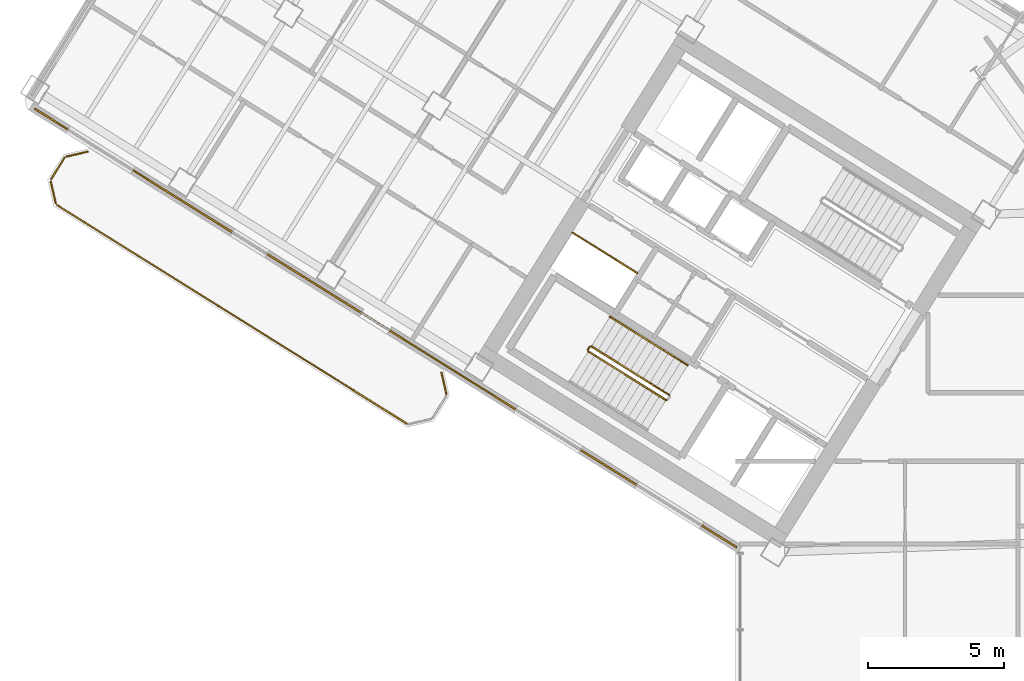
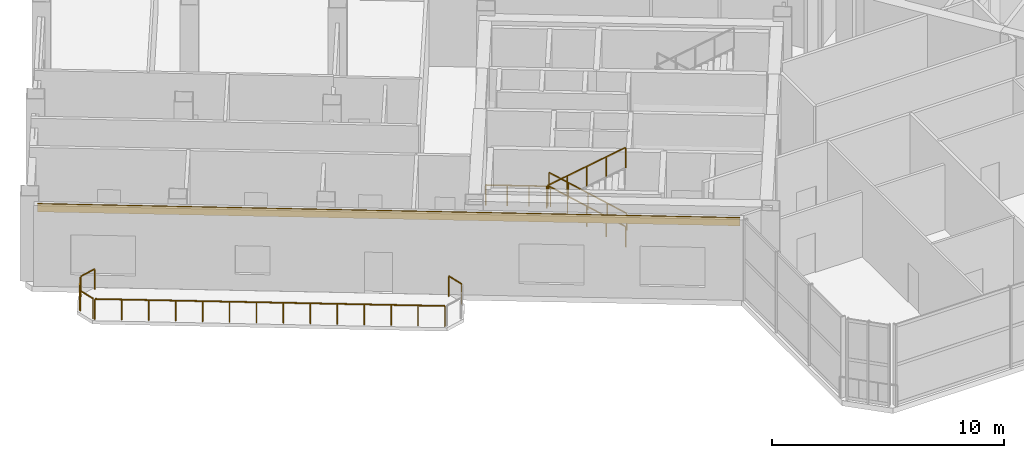
# One storey, part 18 of 21: 11 railings, 1 covering.
"""IFC4 building model written with IfcOpenShell, lengths in metres."""

from ifc_helpers import new_model, si_unit, direction, frame, origin, origin_2d, place, context, subcontext, project, spatial, rectangle, extrude, source, transform, mapped, material, layer, layer_set, type_object, element, save


model = new_model("IFC4")

# Units and contexts
model_context = context("Model", 3, precision=1e-05, world=origin(), true_north=direction((0.0, 1.0)))
body_context = subcontext(model_context, "Body", "Model", "MODEL_VIEW")
ifc_project = project(units=[si_unit("LENGTHUNIT", "METRE"), si_unit("AREAUNIT", "SQUARE_METRE"), si_unit("VOLUMEUNIT", "CUBIC_METRE"), si_unit("PLANEANGLEUNIT", "RADIAN"), si_unit("MASSUNIT", "GRAM", prefix="KILO")], contexts=[model_context])

# Site, building, storey
site_placement = place(None, origin())
site = spatial("IfcSite", under=ifc_project, at=site_placement, CompositionType="ELEMENT")
building_placement = place(site_placement, origin())
building = spatial("IfcBuilding", under=site, at=building_placement, Name="Tlacorven Tower", CompositionType="ELEMENT")
storey_placement = place(building_placement, frame((0.0, 0.0, 199.5)))
storey = spatial("IfcBuildingStorey", under=building, at=storey_placement, Name="L50", CompositionType="ELEMENT", Elevation=199.5)

# Railings
ifc_material_1 = material(Name="Aluminium and painted steel balustrade", Category="steel")
railing_type_1 = type_object("IfcRailingType", Name="RL-GRD-1100", PredefinedType="GUARDRAIL", material=ifc_material_1)
shared_shape_1 = source(origin(), body_context, "Body", "SweptSolid", [
    extrude(rectangle(XDim=0.048095703125, YDim=0.048095703125, at=origin_2d()), frame((0.0, 0.0, 1.076171875), z_axis=(-0.848091358275, 0.529850024081, 0.0), x_axis=(-0.529850024081, -0.848091358275, 0.0)), (0.0, 0.0, 1.0), 2.800048828125),
    extrude(rectangle(XDim=0.0419921875, YDim=0.0419921875, at=origin_2d()), origin(), (0.0, 0.0, 1.0), 1.052001953125),
    extrude(rectangle(XDim=0.0419921875, YDim=0.0419921875, at=origin_2d()), frame((-0.79150390625, 0.49462890625, 0.0)), (0.0, 0.0, 1.0), 1.052001953125),
    extrude(rectangle(XDim=0.0419921875, YDim=0.0419921875, at=origin_2d()), frame((-1.583251953125, 0.989013671875, 0.0)), (0.0, 0.0, 1.0), 1.052001953125),
    extrude(rectangle(XDim=0.0419921875, YDim=0.0419921875, at=origin_2d()), frame((-2.374755859375, 1.483642578125, 0.0)), (0.0, 0.0, 1.0), 1.052001953125),
])
railing_1_placement = place(storey_placement, frame((27.9912109375, 22.32080078125, 0.0)))
element("IfcRailing", 1, at=railing_1_placement, inside=storey, type_object=railing_type_1, Name="L50 Electrical Riser W Shaft Guard 1", PredefinedType="GUARDRAIL", context=body_context, shape_type="MappedRepresentation", body=[
    mapped(shared_shape_1, transform((0.0, 0.0, 0.0), scale=1.0)),
])
railing_type_2 = type_object("IfcRailingType", Name="RL-BAL-1100", PredefinedType="BALUSTRADE", material=ifc_material_1)
shared_shape_2 = source(origin(), body_context, "Body", "SweptSolid", [
    extrude(rectangle(XDim=0.048095703125, YDim=0.048095703125, at=origin_2d()), frame((0.0, 0.0, 1.076171875), z_axis=(0.225058334816, -0.974345290916, 0.0), x_axis=(0.974345290916, 0.225058334816, 0.0)), (0.0, 0.0, 1.0), 0.80712890625),
    extrude(rectangle(XDim=0.0419921875, YDim=0.0419921875, at=origin_2d()), origin(), (0.0, 0.0, 1.0), 1.052001953125),
    extrude(rectangle(XDim=0.0419921875, YDim=0.0419921875, at=origin_2d()), frame((0.181640625, -0.786376953125, 0.0)), (0.0, 0.0, 1.0), 1.052001953125),
])
railing_2_placement = place(storey_placement, frame((20.809814453125, 18.671142578125, 0.0)))
element("IfcRailing", 2, at=railing_2_placement, inside=storey, type_object=railing_type_2, Name="BAL-L50-W-OUT Guard Railing 1", PredefinedType="BALUSTRADE", context=body_context, shape_type="MappedRepresentation", body=[
    mapped(shared_shape_2, transform((0.0, 0.0, 0.0), scale=1.0)),
])
shared_shape_3 = source(origin(), body_context, "Body", "SweptSolid", [
    extrude(rectangle(XDim=0.048095703125, YDim=0.048095703125, at=origin_2d()), frame((0.0, 0.0, 1.076171875), z_axis=(-0.225058334816, 0.974345290916, 0.0), x_axis=(-0.974345290916, -0.225058334816, 0.0)), (0.0, 0.0, 1.0), 0.80712890625),
    extrude(rectangle(XDim=0.0419921875, YDim=0.0419921875, at=origin_2d()), origin(), (0.0, 0.0, 1.0), 1.052001953125),
    extrude(rectangle(XDim=0.0419921875, YDim=0.0419921875, at=origin_2d()), frame((-0.181640625, 0.786376953125, 0.0)), (0.0, 0.0, 1.0), 1.052001953125),
])
railing_3_placement = place(storey_placement, frame((6.66650390625, 24.88623046875, 0.0)))
element("IfcRailing", 3, at=railing_3_placement, inside=storey, type_object=railing_type_2, Name="BAL-L50-W-OUT Guard Railing 5", PredefinedType="BALUSTRADE", context=body_context, shape_type="MappedRepresentation", body=[
    mapped(shared_shape_3, transform((0.0, 0.0, 0.0), scale=1.0)),
])
shared_shape_4 = source(origin(), body_context, "Body", "SweptSolid", [
    extrude(rectangle(XDim=0.048095703125, YDim=0.048095703125, at=origin_2d()), frame((0.0, 0.0, 1.076171875), z_axis=(0.974411586182, 0.224771129628, 0.0), x_axis=(-0.224771129628, 0.974411586182, 0.0)), (0.0, 0.0, 1.0), 0.80712890625),
    extrude(rectangle(XDim=0.0419921875, YDim=0.0419921875, at=origin_2d()), origin(), (0.0, 0.0, 1.0), 1.052001953125),
    extrude(rectangle(XDim=0.0419921875, YDim=0.0419921875, at=origin_2d()), frame((0.786376953125, 0.181396484375, 0.0)), (0.0, 0.0, 1.0), 1.052001953125),
])
railing_4_placement = place(storey_placement, frame((7.05859375, 26.591064453125, 0.0)))
element("IfcRailing", 4, at=railing_4_placement, inside=storey, type_object=railing_type_2, Name="BAL-L50-W-OUT Guard Railing 7", PredefinedType="BALUSTRADE", context=body_context, shape_type="MappedRepresentation", body=[
    mapped(shared_shape_4, transform((0.0, 0.0, 0.0), scale=1.0)),
])
shared_shape_5 = source(origin(), body_context, "Body", "SweptSolid", [
    extrude(rectangle(XDim=0.048095703125, YDim=0.048095703125, at=origin_2d()), frame((0.0, 0.0, 1.076171875), z_axis=(0.529998940003, 0.847998304005, 0.0), x_axis=(-0.847998304005, 0.529998940003, 0.0)), (0.0, 0.0, 1.0), 0.912109375),
    extrude(rectangle(XDim=0.0419921875, YDim=0.0419921875, at=origin_2d()), origin(), (0.0, 0.0, 1.0), 1.052001953125),
    extrude(rectangle(XDim=0.0419921875, YDim=0.0419921875, at=origin_2d()), frame((0.4833984375, 0.7734375, 0.0)), (0.0, 0.0, 1.0), 1.052001953125),
])
railing_5_placement = place(storey_placement, frame((6.5, 25.763916015625, 0.0)))
element("IfcRailing", 5, at=railing_5_placement, inside=storey, type_object=railing_type_2, Name="BAL-L50-W-OUT Guard Railing 6", PredefinedType="BALUSTRADE", context=body_context, shape_type="MappedRepresentation", body=[
    mapped(shared_shape_5, transform((0.0, 0.0, 0.0), scale=1.0)),
])

# Covering
ifc_material_2 = material(Name="Precast concrete C45/55", Category="concrete")
ifc_layer = layer(ifc_material_2, 0.06005859375)
ifc_layer_set = layer_set([ifc_layer], Name="Precast concrete C45/55")
covering_type = type_object("IfcCoveringType", Name="CV-CLD-TERC", PredefinedType="CLADDING", material=ifc_layer_set)
shared_shape_6 = source(origin(), body_context, "Body", "SweptSolid", [
    extrude(rectangle(XDim=30.35205078125, YDim=0.06005859375, at=origin_2d()), origin(), (0.0, 0.0, 1.0), 0.419921875),
])
covering_placement = place(storey_placement, frame((18.7626953125, 20.3046875, 3.830078125), z_axis=(0.0, 0.0, 1.0), x_axis=(-0.848048152806, 0.529919173576, 0.0)))
element("IfcCovering", 6, at=covering_placement, inside=storey, type_object=covering_type, Name="L50 Masonry-Frame Spandrel Cladding 1", PredefinedType="CLADDING", context=body_context, shape_type="MappedRepresentation", body=[
    mapped(shared_shape_6, transform((0.0, 0.0, 0.0), scale=1.0)),
])

# Railings
shared_shape_7 = source(origin(), body_context, "Body", "SweptSolid", [
    extrude(rectangle(XDim=0.048095703125, YDim=0.048095703125, at=origin_2d()), frame((0.0, 0.0, 1.076171875), z_axis=(-0.848051830527, 0.529913287944, 0.0), x_axis=(-0.529913287944, -0.848051830527, 0.0)), (0.0, 0.0, 1.0), 15.1171875),
    extrude(rectangle(XDim=0.0419921875, YDim=0.0419921875, at=origin_2d()), origin(), (0.0, 0.0, 1.0), 1.052001953125),
    extrude(rectangle(XDim=0.0419921875, YDim=0.0419921875, at=origin_2d()), frame((-0.986083984375, 0.6162109375, 0.0)), (0.0, 0.0, 1.0), 1.052001953125),
    extrude(rectangle(XDim=0.0419921875, YDim=0.0419921875, at=origin_2d()), frame((-1.972412109375, 1.232421875, 0.0)), (0.0, 0.0, 1.0), 1.052001953125),
    extrude(rectangle(XDim=0.0419921875, YDim=0.0419921875, at=origin_2d()), frame((-2.95849609375, 1.8486328125, 0.0)), (0.0, 0.0, 1.0), 1.052001953125),
    extrude(rectangle(XDim=0.0419921875, YDim=0.0419921875, at=origin_2d()), frame((-3.944580078125, 2.46484375, 0.0)), (0.0, 0.0, 1.0), 1.052001953125),
    extrude(rectangle(XDim=0.0419921875, YDim=0.0419921875, at=origin_2d()), frame((-4.930908203125, 3.0810546875, 0.0)), (0.0, 0.0, 1.0), 1.052001953125),
    extrude(rectangle(XDim=0.0419921875, YDim=0.0419921875, at=origin_2d()), frame((-5.9169921875, 3.697265625, 0.0)), (0.0, 0.0, 1.0), 1.052001953125),
    extrude(rectangle(XDim=0.0419921875, YDim=0.0419921875, at=origin_2d()), frame((-6.903076171875, 4.3134765625, 0.0)), (0.0, 0.0, 1.0), 1.052001953125),
    extrude(rectangle(XDim=0.0419921875, YDim=0.0419921875, at=origin_2d()), frame((-7.88916015625, 4.9296875, 0.0)), (0.0, 0.0, 1.0), 1.052001953125),
    extrude(rectangle(XDim=0.0419921875, YDim=0.0419921875, at=origin_2d()), frame((-8.87548828125, 5.5458984375, 0.0)), (0.0, 0.0, 1.0), 1.052001953125),
    extrude(rectangle(XDim=0.0419921875, YDim=0.0419921875, at=origin_2d()), frame((-9.861572265625, 6.162109375, 0.0)), (0.0, 0.0, 1.0), 1.052001953125),
    extrude(rectangle(XDim=0.0419921875, YDim=0.0419921875, at=origin_2d()), frame((-10.84765625, 6.7783203125, 0.0)), (0.0, 0.0, 1.0), 1.052001953125),
    extrude(rectangle(XDim=0.0419921875, YDim=0.0419921875, at=origin_2d()), frame((-11.833984375, 7.39453125, 0.0)), (0.0, 0.0, 1.0), 1.052001953125),
    extrude(rectangle(XDim=0.0419921875, YDim=0.0419921875, at=origin_2d()), frame((-12.820068359375, 8.0107421875, 0.0)), (0.0, 0.0, 1.0), 1.052001953125),
])
railing_6_placement = place(storey_placement, frame((19.5400390625, 16.80029296875, 0.0)))
element("IfcRailing", 7, at=railing_6_placement, inside=storey, type_object=railing_type_2, Name="BAL-L50-W-OUT Guard Railing 4", PredefinedType="BALUSTRADE", context=body_context, shape_type="MappedRepresentation", body=[
    mapped(shared_shape_7, transform((0.0, 0.0, 0.0), scale=1.0)),
])
shared_shape_8 = source(origin(), body_context, "Body", "SweptSolid", [
    extrude(rectangle(XDim=0.048095703125, YDim=0.048095703125, at=origin_2d()), frame((0.0, 0.0, 1.076171875), z_axis=(-0.530546985787, -0.847655529016, 0.0), x_axis=(0.847655529016, -0.530546985787, 0.0)), (0.0, 0.0, 1.0), 0.1201171875),
    extrude(rectangle(XDim=0.0419921875, YDim=0.0419921875, at=origin_2d()), origin(), (0.0, 0.0, 1.0), 1.052001953125),
    extrude(rectangle(XDim=0.0419921875, YDim=0.0419921875, at=origin_2d()), frame((-0.063720703125, -0.101806640625, 0.0)), (0.0, 0.0, 1.0), 1.052001953125),
])
railing_7_placement = place(storey_placement, frame((26.242431640625, 19.616455078125, 2.25)))
element("IfcRailing", 8, at=railing_7_placement, inside=storey, type_object=railing_type_1, Name="L50 ST-W1 stair guard 2", PredefinedType="GUARDRAIL", context=body_context, shape_type="MappedRepresentation", body=[
    mapped(shared_shape_8, transform((0.0, 0.0, 0.0), scale=1.0)),
])
shared_shape_9 = source(origin(), body_context, "Body", "SweptSolid", [
    extrude(rectangle(XDim=0.048095703125, YDim=0.048095703125, at=origin_2d()), frame((0.0, 0.0, 1.076171875), z_axis=(-0.721354668439, 0.45076168254, 0.525795918465), x_axis=(-0.529927092104, -0.84804320471, 0.0)), (0.0, 0.0, 1.0), 3.949951171875),
    extrude(rectangle(XDim=0.0419921875, YDim=0.0419921875, at=origin_2d()), origin(), (0.0, 0.0, 1.0), 1.052001953125),
    extrude(rectangle(XDim=0.0419921875, YDim=0.0419921875, at=origin_2d()), frame((-0.71240234375, 0.445068359375, 0.519287109375)), (0.0, 0.0, 1.0), 1.052001953125),
    extrude(rectangle(XDim=0.0419921875, YDim=0.0419921875, at=origin_2d()), frame((-1.4248046875, 0.89013671875, 1.03857421875)), (0.0, 0.0, 1.0), 1.052001953125),
    extrude(rectangle(XDim=0.0419921875, YDim=0.0419921875, at=origin_2d()), frame((-2.136962890625, 1.33544921875, 1.5576171875)), (0.0, 0.0, 1.0), 1.052001953125),
    extrude(rectangle(XDim=0.0419921875, YDim=0.0419921875, at=origin_2d()), frame((-2.849365234375, 1.780517578125, 2.076904296875)), (0.0, 0.0, 1.0), 1.052001953125),
])
railing_8_placement = place(storey_placement, frame((29.16064453125, 17.851806640625, 0.173095703125)))
element("IfcRailing", 9, at=railing_8_placement, inside=storey, type_object=railing_type_1, Name="L50 ST-W1 stair guard 1", PredefinedType="GUARDRAIL", context=body_context, shape_type="MappedRepresentation", body=[
    mapped(shared_shape_9, transform((0.0, 0.0, 0.0), scale=1.0)),
])
shared_shape_10 = source(origin(), body_context, "Body", "SweptSolid", [
    extrude(rectangle(XDim=0.048095703125, YDim=0.048095703125, at=origin_2d()), frame((0.0, 0.0, 1.076171875), z_axis=(0.721384312238, -0.450741585774, 0.525772476372), x_axis=(0.52989443915, 0.848063608085, 0.0)), (0.0, 0.0, 1.0), 3.9501953125),
    extrude(rectangle(XDim=0.0419921875, YDim=0.0419921875, at=origin_2d()), origin(), (0.0, 0.0, 1.0), 1.052001953125),
    extrude(rectangle(XDim=0.0419921875, YDim=0.0419921875, at=origin_2d()), frame((0.71240234375, -0.445068359375, 0.519287109375)), (0.0, 0.0, 1.0), 1.052001953125),
    extrude(rectangle(XDim=0.0419921875, YDim=0.0419921875, at=origin_2d()), frame((1.4248046875, -0.89013671875, 1.03857421875)), (0.0, 0.0, 1.0), 1.052001953125),
    extrude(rectangle(XDim=0.0419921875, YDim=0.0419921875, at=origin_2d()), frame((2.13720703125, -1.33544921875, 1.5576171875)), (0.0, 0.0, 1.0), 1.052001953125),
    extrude(rectangle(XDim=0.0419921875, YDim=0.0419921875, at=origin_2d()), frame((2.849609375, -1.780517578125, 2.076904296875)), (0.0, 0.0, 1.0), 1.052001953125),
])
railing_9_placement = place(storey_placement, frame((26.194580078125, 19.44580078125, 2.423095703125)))
element("IfcRailing", 10, at=railing_9_placement, inside=storey, type_object=railing_type_1, Name="L50 ST-W1 stair guard 3", PredefinedType="GUARDRAIL", context=body_context, shape_type="MappedRepresentation", body=[
    mapped(shared_shape_10, transform((0.0, 0.0, 0.0), scale=1.0)),
])
railing_type_3 = type_object("IfcRailingType", Name="RL-HND-0900", PredefinedType="HANDRAIL", material=ifc_material_1)
shared_shape_11 = source(origin(), body_context, "Body", "SweptSolid", [
    extrude(rectangle(XDim=0.048095703125, YDim=0.048095703125, at=origin_2d()), frame((0.0, 0.0, 0.8759765625), z_axis=(-0.721387654753, 0.450805479247, 0.525713107551), x_axis=(-0.529946692594, -0.848030956397, 0.0)), (0.0, 0.0, 1.0), 1.97509765625),
    extrude(rectangle(XDim=0.0419921875, YDim=0.0419921875, at=origin_2d()), origin(), (0.0, 0.0, 1.0), 0.851806640625),
    extrude(rectangle(XDim=0.0419921875, YDim=0.0419921875, at=origin_2d()), frame((-0.71240234375, 0.4453125, 0.51904296875)), (0.0, 0.0, 1.0), 0.851806640625),
    extrude(rectangle(XDim=0.0419921875, YDim=0.0419921875, at=origin_2d()), frame((-1.4248046875, 0.890380859375, 1.038330078125)), (0.0, 0.0, 1.0), 0.851806640625),
])
railing_10_placement = place(storey_placement, frame((29.839111328125, 18.937255859375, 0.173095703125)))
element("IfcRailing", 11, at=railing_10_placement, inside=storey, type_object=railing_type_3, Name="L50 ST-W1 stair handrail 1", PredefinedType="HANDRAIL", context=body_context, shape_type="MappedRepresentation", body=[
    mapped(shared_shape_11, transform((0.0, 0.0, 0.0), scale=1.0)),
])
shared_shape_12 = source(origin(), body_context, "Body", "SweptSolid", [
    extrude(rectangle(XDim=0.048095703125, YDim=0.048095703125, at=origin_2d()), frame((0.0, 0.0, 0.8759765625), z_axis=(-0.721380964259, 0.45067768946, 0.525831840637), x_axis=(-0.52984217967, -0.848096259066, 0.0)), (0.0, 0.0, 1.0), 1.97509765625),
    extrude(rectangle(XDim=0.0419921875, YDim=0.0419921875, at=origin_2d()), origin(), (0.0, 0.0, 1.0), 0.851806640625),
    extrude(rectangle(XDim=0.0419921875, YDim=0.0419921875, at=origin_2d()), frame((-0.71240234375, 0.445068359375, 0.519287109375)), (0.0, 0.0, 1.0), 0.851806640625),
    extrude(rectangle(XDim=0.0419921875, YDim=0.0419921875, at=origin_2d()), frame((-1.4248046875, 0.89013671875, 1.03857421875)), (0.0, 0.0, 1.0), 0.851806640625),
])
railing_11_placement = place(storey_placement, frame((28.414306640625, 19.82763671875, 1.21142578125)))
element("IfcRailing", 12, at=railing_11_placement, inside=storey, type_object=railing_type_3, Name="L50 ST-W1 stair handrail 2", PredefinedType="HANDRAIL", context=body_context, shape_type="MappedRepresentation", body=[
    mapped(shared_shape_12, transform((0.0, 0.0, 0.0), scale=1.0)),
])

save(model, "model.ifc")
